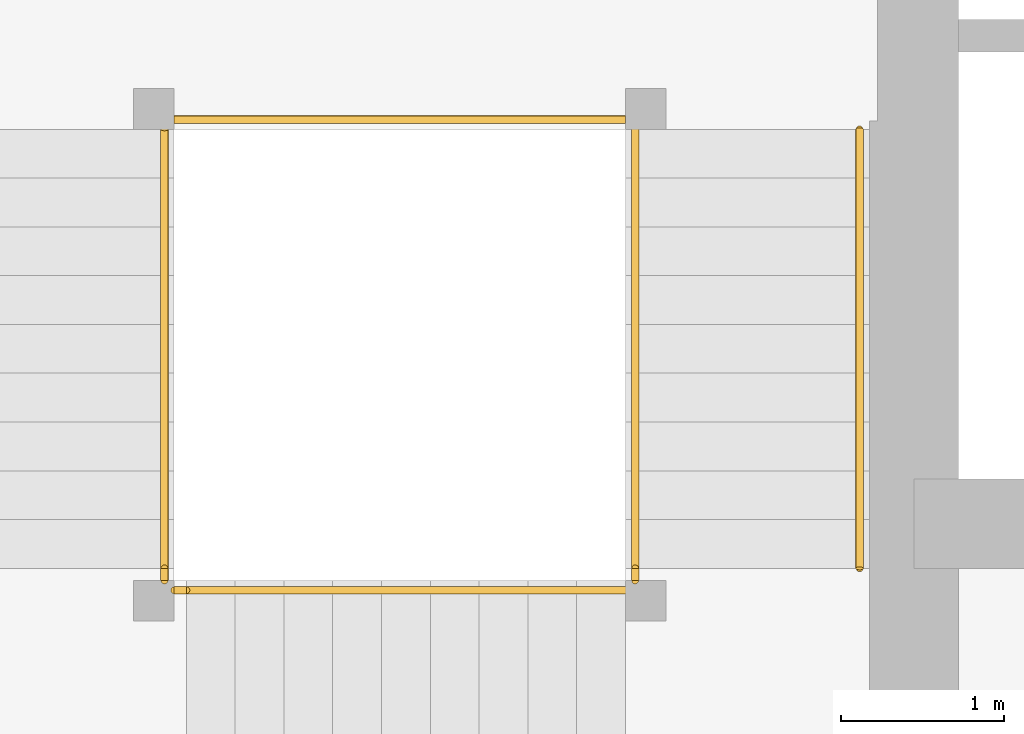
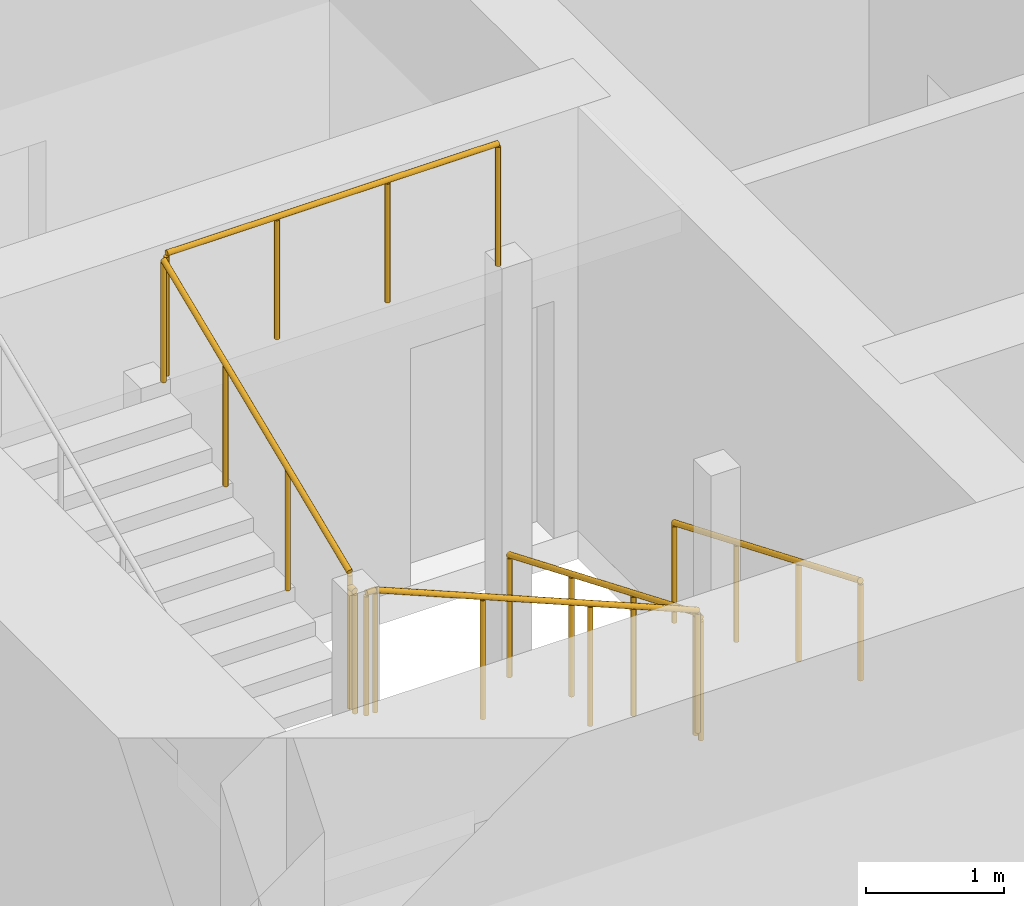
# One storey, part 37 of 44: 8 railings.
"""IFC4 building model written with IfcOpenShell, lengths in metres."""

from ifc_helpers import new_model, si_unit, direction, frame, origin, origin_2d, place, context, subcontext, project, spatial, circle, extrude, material, type_object, element, save


model = new_model("IFC4")

# Units and contexts
model_context = context("Model", 3, precision=1e-05, world=origin(), true_north=direction((0.0, 1.0)))
body_context = subcontext(model_context, "Body", "Model", "MODEL_VIEW")
ifc_project = project(units=[si_unit("LENGTHUNIT", "METRE"), si_unit("AREAUNIT", "SQUARE_METRE"), si_unit("VOLUMEUNIT", "CUBIC_METRE"), si_unit("PLANEANGLEUNIT", "RADIAN"), si_unit("MASSUNIT", "GRAM", prefix="KILO")], contexts=[model_context])

# Site, building, storey
site_placement = place(None, origin())
site = spatial("IfcSite", under=ifc_project, at=site_placement, CompositionType="ELEMENT")
building_placement = place(site_placement, origin())
building = spatial("IfcBuilding", under=site, at=building_placement, Name="Rekha Terrace Tower", CompositionType="ELEMENT")
storey_placement = place(building_placement, frame((0.0, 0.0, 81.64990234375)))
storey = spatial("IfcBuildingStorey", under=building, at=storey_placement, Name="L20", CompositionType="ELEMENT", Elevation=81.64990234375)

# Railings
ifc_material_1 = material(Name="Stainless steel balustrade", Category="steel")
railing_type_1 = type_object("IfcRailingType", Name="GR1 1100 stair guard", PredefinedType="GUARDRAIL", material=ifc_material_1)
railing_1_placement = place(storey_placement, frame((30.0849609375, 25.824951171875, 0.125)))
element("IfcRailing", 1, at=railing_1_placement, inside=storey, type_object=railing_type_1, Name="Guard ST1 L20 flight 1", PredefinedType="GUARDRAIL", context=body_context, shape_type="SweptSolid", body=[
    extrude(circle(Radius=0.02392578125, at=origin_2d()), frame((0.0, 0.0, 1.076171875), z_axis=(0.0, -0.923074453586, 0.384621311341), x_axis=(1.0, 0.0, 0.0)), (0.0, 0.0, 1.0), 2.925048828125),
    extrude(circle(Radius=0.02099609375, at=origin_2d()), origin(), (0.0, 0.0, 1.0), 1.052001953125),
    extrude(circle(Radius=0.02099609375, at=origin_2d()), frame((0.0, -0.89990234375, 0.375)), (0.0, 0.0, 1.0), 1.052001953125),
    extrude(circle(Radius=0.02099609375, at=origin_2d()), frame((0.0, -1.800048828125, 0.75)), (0.0, 0.0, 1.0), 1.052001953125),
    extrude(circle(Radius=0.02099609375, at=origin_2d()), frame((0.0, -2.699951171875, 1.125)), (0.0, 0.0, 1.0), 1.052001953125),
])
railing_2_placement = place(storey_placement, frame((30.02490234375, 22.989990234375, 1.375)))
element("IfcRailing", 2, at=railing_2_placement, inside=storey, type_object=railing_type_1, Name="Guard ST1 L20 flight 2", PredefinedType="GUARDRAIL", context=body_context, shape_type="SweptSolid", body=[
    extrude(circle(Radius=0.02392578125, at=origin_2d()), frame((0.0, 0.0, 1.076171875), z_axis=(-0.923074453586, 0.0, 0.384621311341), x_axis=(0.0, -1.0, 0.0)), (0.0, 0.0, 1.0), 2.925048828125),
    extrude(circle(Radius=0.02099609375, at=origin_2d()), origin(), (0.0, 0.0, 1.0), 1.052001953125),
    extrude(circle(Radius=0.02099609375, at=origin_2d()), frame((-0.89990234375, 0.0, 0.375)), (0.0, 0.0, 1.0), 1.052001953125),
    extrude(circle(Radius=0.02099609375, at=origin_2d()), frame((-1.800048828125, 0.0, 0.75)), (0.0, 0.0, 1.0), 1.052001953125),
    extrude(circle(Radius=0.02099609375, at=origin_2d()), frame((-2.699951171875, 0.0, 1.125)), (0.0, 0.0, 1.0), 1.052001953125),
])
railing_3_placement = place(storey_placement, frame((27.18994140625, 23.125, 2.625)))
element("IfcRailing", 3, at=railing_3_placement, inside=storey, type_object=railing_type_1, Name="Guard ST1 L20 flight 3", PredefinedType="GUARDRAIL", context=body_context, shape_type="SweptSolid", body=[
    extrude(circle(Radius=0.02392578125, at=origin_2d()), frame((0.0, 0.0, 1.076171875), z_axis=(0.0, 0.923074453586, 0.384621311341), x_axis=(-1.0, 0.0, 0.0)), (0.0, 0.0, 1.0), 2.925048828125),
    extrude(circle(Radius=0.02099609375, at=origin_2d()), origin(), (0.0, 0.0, 1.0), 1.052001953125),
    extrude(circle(Radius=0.02099609375, at=origin_2d()), frame((0.0, 0.89990234375, 0.375)), (0.0, 0.0, 1.0), 1.052001953125),
    extrude(circle(Radius=0.02099609375, at=origin_2d()), frame((0.0, 1.800048828125, 0.75)), (0.0, 0.0, 1.0), 1.052001953125),
    extrude(circle(Radius=0.02099609375, at=origin_2d()), frame((0.0, 2.699951171875, 1.125)), (0.0, 0.0, 1.0), 1.052001953125),
])
railing_4_placement = place(storey_placement, frame((30.0849609375, 23.125, 1.25)))
element("IfcRailing", 4, at=railing_4_placement, inside=storey, type_object=railing_type_1, Name="Guard ST1 L20 landing 1", PredefinedType="GUARDRAIL", context=body_context, shape_type="SweptSolid", body=[
    extrude(circle(Radius=0.02392578125, at=origin_2d()), frame((0.0, 0.0, 1.076171875), z_axis=(0.0, -1.0, 0.0), x_axis=(1.0, 0.0, 0.0)), (0.0, 0.0, 1.0), 0.074951171875),
    extrude(circle(Radius=0.02099609375, at=origin_2d()), origin(), (0.0, 0.0, 1.0), 1.052001953125),
    extrude(circle(Radius=0.02099609375, at=origin_2d()), frame((0.0, -0.074951171875, 0.0)), (0.0, 0.0, 1.0), 1.052001953125),
])
railing_5_placement = place(storey_placement, frame((27.324951171875, 22.989990234375, 2.5)))
element("IfcRailing", 5, at=railing_5_placement, inside=storey, type_object=railing_type_1, Name="Guard ST1 L20 landing 2", PredefinedType="GUARDRAIL", context=body_context, shape_type="SweptSolid", body=[
    extrude(circle(Radius=0.02392578125, at=origin_2d()), frame((0.0, 0.0, 1.076171875), z_axis=(-1.0, 0.0, 0.0), x_axis=(0.0, -1.0, 0.0)), (0.0, 0.0, 1.0), 0.074951171875),
    extrude(circle(Radius=0.02099609375, at=origin_2d()), origin(), (0.0, 0.0, 1.0), 1.052001953125),
    extrude(circle(Radius=0.02099609375, at=origin_2d()), frame((-0.074951171875, 0.0, 0.0)), (0.0, 0.0, 1.0), 1.052001953125),
])
railing_6_placement = place(storey_placement, frame((27.18994140625, 23.125, 2.5)))
element("IfcRailing", 6, at=railing_6_placement, inside=storey, type_object=railing_type_1, Name="Guard ST1 L20 landing 3", PredefinedType="GUARDRAIL", context=body_context, shape_type="SweptSolid", body=[
    extrude(circle(Radius=0.02392578125, at=origin_2d()), frame((0.0, 0.0, 1.076171875), z_axis=(0.0, -1.0, 0.0), x_axis=(1.0, 0.0, 0.0)), (0.0, 0.0, 1.0), 0.074951171875),
    extrude(circle(Radius=0.02099609375, at=origin_2d()), origin(), (0.0, 0.0, 1.0), 1.052001953125),
    extrude(circle(Radius=0.02099609375, at=origin_2d()), frame((0.0, -0.074951171875, 0.0)), (0.0, 0.0, 1.0), 1.052001953125),
])
railing_7_placement = place(storey_placement, frame((30.02490234375, 25.885009765625, 3.75)))
element("IfcRailing", 7, at=railing_7_placement, inside=storey, type_object=railing_type_1, Name="Guard ST1 L20 landing 4", PredefinedType="GUARDRAIL", context=body_context, shape_type="SweptSolid", body=[
    extrude(circle(Radius=0.02392578125, at=origin_2d()), frame((0.0, 0.0, 1.076171875), z_axis=(-1.0, 0.0, 0.0), x_axis=(0.0, -1.0, 0.0)), (0.0, 0.0, 1.0), 2.77490234375),
    extrude(circle(Radius=0.02099609375, at=origin_2d()), origin(), (0.0, 0.0, 1.0), 1.052001953125),
    extrude(circle(Radius=0.02099609375, at=origin_2d()), frame((-0.925048828125, 0.0, 0.0)), (0.0, 0.0, 1.0), 1.052001953125),
    extrude(circle(Radius=0.02099609375, at=origin_2d()), frame((-1.849853515625, 0.0, 0.0)), (0.0, 0.0, 1.0), 1.052001953125),
    extrude(circle(Radius=0.02099609375, at=origin_2d()), frame((-2.77490234375, 0.0, 0.0)), (0.0, 0.0, 1.0), 1.052001953125),
])
ifc_material_2 = material(Name="Stainless steel tube", Category="steel")
railing_type_2 = type_object("IfcRailingType", Name="HR1 900 stair handrail", PredefinedType="HANDRAIL", material=ifc_material_2)
railing_8_placement = place(storey_placement, frame((31.465087890625, 25.824951171875, 0.125)))
element("IfcRailing", 8, at=railing_8_placement, inside=storey, type_object=railing_type_2, Name="Handrail ST1 L20 flight 1", PredefinedType="HANDRAIL", context=body_context, shape_type="SweptSolid", body=[
    extrude(circle(Radius=0.02392578125, at=origin_2d()), frame((0.0, 0.0, 0.8759765625), z_axis=(0.0, -0.923074453586, 0.384621311341), x_axis=(1.0, 0.0, 0.0)), (0.0, 0.0, 1.0), 2.925048828125),
    extrude(circle(Radius=0.02099609375, at=origin_2d()), origin(), (0.0, 0.0, 1.0), 0.851806640625),
    extrude(circle(Radius=0.02099609375, at=origin_2d()), frame((0.0, -0.89990234375, 0.375)), (0.0, 0.0, 1.0), 0.851806640625),
    extrude(circle(Radius=0.02099609375, at=origin_2d()), frame((0.0, -1.800048828125, 0.75)), (0.0, 0.0, 1.0), 0.851806640625),
    extrude(circle(Radius=0.02099609375, at=origin_2d()), frame((0.0, -2.699951171875, 1.125)), (0.0, 0.0, 1.0), 0.851806640625),
])

save(model, "model.ifc")
